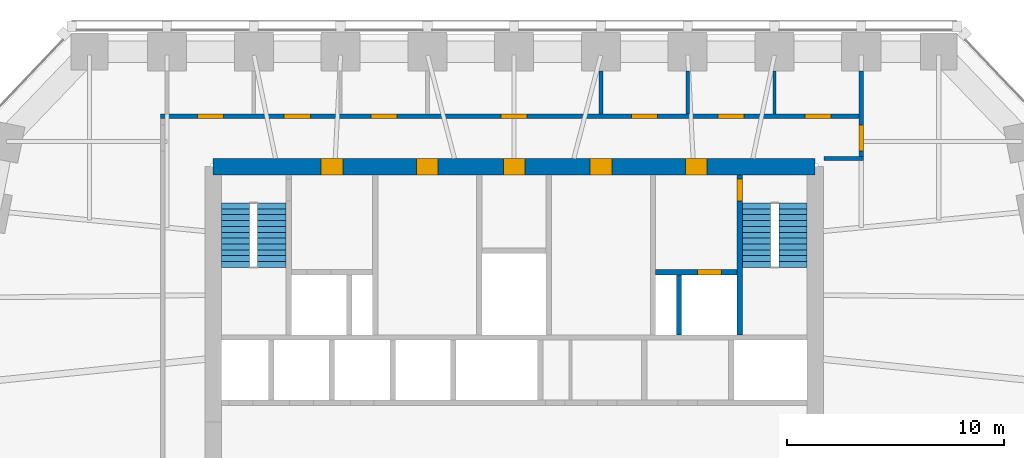
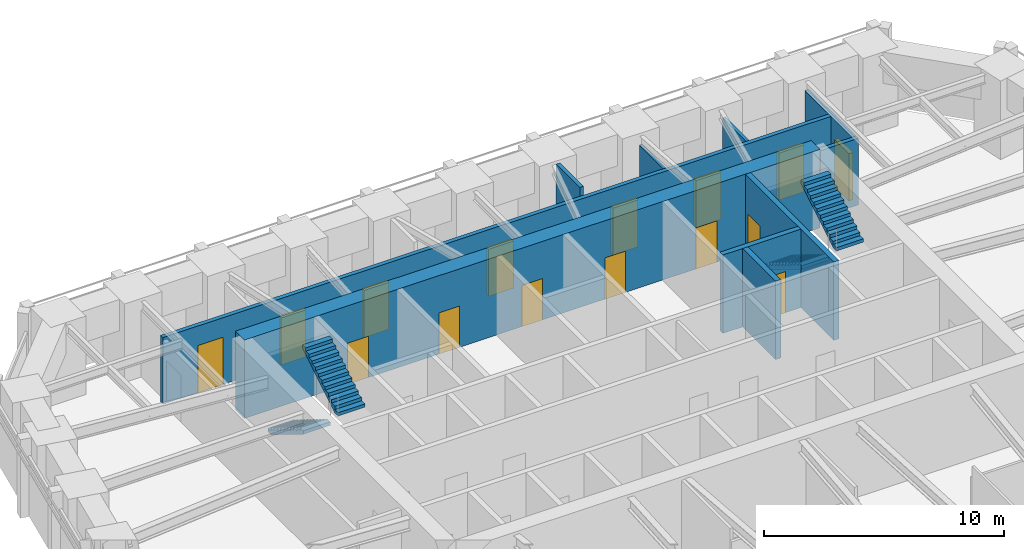
# One storey, part 7 of 9: 15 doors, 10 walls, 4 stair flights, 15 openings, 2 elements without a shape of their own.
"""IFC4 building model written with IfcOpenShell, lengths in metres."""

from ifc_helpers import new_model, si_unit, direction, frame, frame_2d, origin, place, context, subcontext, project, spatial, polyline, rectangle, outline, extrude, material, layer, layer_set, type_object, element, fill, aggregate, save


model = new_model("IFC4")

# Units and contexts
model_context = context("Model", 3, precision=1e-05, world=origin(), true_north=direction((0.0, 1.0)))
body_context = subcontext(model_context, "Body", "Model", "MODEL_VIEW")
ifc_project = project(units=[si_unit("LENGTHUNIT", "METRE"), si_unit("AREAUNIT", "SQUARE_METRE"), si_unit("VOLUMEUNIT", "CUBIC_METRE"), si_unit("PLANEANGLEUNIT", "RADIAN"), si_unit("MASSUNIT", "GRAM", prefix="KILO")], contexts=[model_context])

# Site, building, storey
site_placement = place(None, origin())
site = spatial("IfcSite", under=ifc_project, at=site_placement, CompositionType="ELEMENT")
building_placement = place(site_placement, origin())
building = spatial("IfcBuilding", under=site, at=building_placement, Name="Isbrekke Arena Tower", CompositionType="ELEMENT")
storey_placement = place(building_placement, frame((0.0, 0.0, 131.0)))
storey = spatial("IfcBuildingStorey", under=building, at=storey_placement, Name="L29", CompositionType="ELEMENT", Elevation=131.0)

# Wall, openings, doors
ifc_material_1 = material(Name="Concrete B55 (C55/67)", Category="concrete")
ifc_layer_1 = layer(ifc_material_1, 0.75)
ifc_layer_set_1 = layer_set([ifc_layer_1], Name="CW3 CORE WALL 750")
wall_type_1 = type_object("IfcWallType", Name="CW3 CORE WALL 750", PredefinedType="SHEAR", material=ifc_layer_set_1)
wall_1_placement = place(storey_placement, frame((13.875, 23.875, 0.0), z_axis=(0.0, 0.0, 1.0), x_axis=(-1.0, 0.0, 0.0)))
wall_1 = element("IfcWall", 1, at=wall_1_placement, inside=storey, type_object=wall_type_1, Name="Core wall N L29", PredefinedType="SHEAR", context=body_context, shape_type="SweptSolid", body=[
    extrude(rectangle(XDim=27.75, YDim=0.75, at=frame_2d((13.875, 0.0))), origin(), (0.0, 0.0, 1.0), 4.0),
])
opening_1_placement = place(wall_1_placement, frame((21.77490234375, 0.0, 0.0)))
opening_1 = element("IfcOpeningElement", 2, at=opening_1_placement, cuts=wall_1, Name="Opening D3", PredefinedType="OPENING", context=body_context, shape_type="SweptSolid", body=[
    extrude(rectangle(XDim=1.0, YDim=2.10009765625, at=frame_2d((0.5, 1.050048828125))), frame((0.0, 0.389892578125, 0.0), z_axis=(0.0, -1.0, 0.0), x_axis=(1.0, 0.0, 0.0)), (0.0, 0.0, 1.0), 0.77978515625),
])
opening_2_placement = place(wall_1_placement, frame((4.97509765625, 0.0, 0.0)))
opening_2 = element("IfcOpeningElement", 3, at=opening_2_placement, cuts=wall_1, Name="Opening D3", PredefinedType="OPENING", context=body_context, shape_type="SweptSolid", body=[
    extrude(rectangle(XDim=1.0, YDim=2.10009765625, at=frame_2d((0.5, 1.050048828125))), frame((0.0, 0.389892578125, 0.0), z_axis=(0.0, -1.0, 0.0), x_axis=(1.0, 0.0, 0.0)), (0.0, 0.0, 1.0), 0.77978515625),
])
opening_3_placement = place(wall_1_placement, frame((17.375, 0.0, 0.0)))
opening_3 = element("IfcOpeningElement", 4, at=opening_3_placement, cuts=wall_1, Name="Opening D4", PredefinedType="OPENING", context=body_context, shape_type="SweptSolid", body=[
    extrude(rectangle(XDim=1.0, YDim=2.10009765625, at=frame_2d((0.5, 1.050048828125))), frame((0.0, 0.389892578125, 0.0), z_axis=(0.0, -1.0, 0.0), x_axis=(1.0, 0.0, 0.0)), (0.0, 0.0, 1.0), 0.77978515625),
])
opening_4_placement = place(wall_1_placement, frame((13.375, 0.0, 0.0)))
opening_4 = element("IfcOpeningElement", 5, at=opening_4_placement, cuts=wall_1, Name="Opening D4", PredefinedType="OPENING", context=body_context, shape_type="SweptSolid", body=[
    extrude(rectangle(XDim=1.0, YDim=2.10009765625, at=frame_2d((0.5, 1.050048828125))), frame((0.0, 0.389892578125, 0.0), z_axis=(0.0, -1.0, 0.0), x_axis=(1.0, 0.0, 0.0)), (0.0, 0.0, 1.0), 0.77978515625),
])
opening_5_placement = place(wall_1_placement, frame((9.375, 0.0, 0.0)))
opening_5 = element("IfcOpeningElement", 6, at=opening_5_placement, cuts=wall_1, Name="Opening D4", PredefinedType="OPENING", context=body_context, shape_type="SweptSolid", body=[
    extrude(rectangle(XDim=1.0, YDim=2.10009765625, at=frame_2d((0.5, 1.050048828125))), frame((0.0, 0.389892578125, 0.0), z_axis=(0.0, -1.0, 0.0), x_axis=(1.0, 0.0, 0.0)), (0.0, 0.0, 1.0), 0.77978515625),
])
ifc_material_2 = material(Name="Steel fire door", Category="steel")
door_type_1 = type_object("IfcDoorType", Name="D3 FIRE LOBBY DOOR 1000 x 2100", OperationType="SINGLE_SWING_RIGHT", PredefinedType="DOOR", material=ifc_material_2)
door_1_placement = place(opening_1_placement, origin())
door_1 = element("IfcDoor", 7, at=door_1_placement, inside=storey, type_object=door_type_1, Name="D3 fire-fighting lobby door L29", OperationType="SINGLE_SWING_RIGHT", OverallHeight=2.10009765625, OverallWidth=1.0, PredefinedType="DOOR", context=body_context, shape_type="SweptSolid", body=[
    extrude(rectangle(XDim=1.0, YDim=2.10009765625, at=frame_2d((0.5, 1.050048828125))), frame((0.0, 0.374755859375, 0.0), z_axis=(0.0, -1.0, 0.0), x_axis=(1.0, 0.0, 0.0)), (0.0, 0.0, 1.0), 0.74951171875),
])
fill(opening_1, door_1)
door_2_placement = place(opening_2_placement, origin())
door_2 = element("IfcDoor", 8, at=door_2_placement, inside=storey, type_object=door_type_1, Name="D3 fire-fighting lobby door L29", OperationType="SINGLE_SWING_RIGHT", OverallHeight=2.10009765625, OverallWidth=1.0, PredefinedType="DOOR", context=body_context, shape_type="SweptSolid", body=[
    extrude(rectangle(XDim=1.0, YDim=2.10009765625, at=frame_2d((0.5, 1.050048828125))), frame((0.0, 0.374755859375, 0.0), z_axis=(0.0, -1.0, 0.0), x_axis=(1.0, 0.0, 0.0)), (0.0, 0.0, 1.0), 0.74951171875),
])
fill(opening_2, door_2)
ifc_material_3 = material(Name="Timber door", Category="wood")
door_type_2 = type_object("IfcDoorType", Name="D4 WC DOOR 1000 x 2100", OperationType="SINGLE_SWING_LEFT", PredefinedType="DOOR", material=ifc_material_3)
door_3_placement = place(opening_3_placement, origin())
door_3 = element("IfcDoor", 9, at=door_3_placement, inside=storey, type_object=door_type_2, Name="D4 wc female door L29", OperationType="SINGLE_SWING_LEFT", OverallHeight=2.10009765625, OverallWidth=1.0, PredefinedType="DOOR", context=body_context, shape_type="SweptSolid", body=[
    extrude(rectangle(XDim=1.0, YDim=2.10009765625, at=frame_2d((0.5, 1.050048828125))), frame((0.0, 0.374755859375, 0.0), z_axis=(0.0, -1.0, 0.0), x_axis=(1.0, 0.0, 0.0)), (0.0, 0.0, 1.0), 0.74951171875),
])
fill(opening_3, door_3)
door_4_placement = place(opening_4_placement, origin())
door_4 = element("IfcDoor", 10, at=door_4_placement, inside=storey, type_object=door_type_2, Name="D4 accessible wc door L29", OperationType="SINGLE_SWING_LEFT", OverallHeight=2.10009765625, OverallWidth=1.0, PredefinedType="DOOR", context=body_context, shape_type="SweptSolid", body=[
    extrude(rectangle(XDim=1.0, YDim=2.10009765625, at=frame_2d((0.5, 1.050048828125))), frame((0.0, 0.374755859375, 0.0), z_axis=(0.0, -1.0, 0.0), x_axis=(1.0, 0.0, 0.0)), (0.0, 0.0, 1.0), 0.74951171875),
])
fill(opening_4, door_4)
door_5_placement = place(opening_5_placement, origin())
door_5 = element("IfcDoor", 11, at=door_5_placement, inside=storey, type_object=door_type_2, Name="D4 wc male door L29", OperationType="SINGLE_SWING_LEFT", OverallHeight=2.10009765625, OverallWidth=1.0, PredefinedType="DOOR", context=body_context, shape_type="SweptSolid", body=[
    extrude(rectangle(XDim=1.0, YDim=2.10009765625, at=frame_2d((0.5, 1.050048828125))), frame((0.0, 0.374755859375, 0.0), z_axis=(0.0, -1.0, 0.0), x_axis=(1.0, 0.0, 0.0)), (0.0, 0.0, 1.0), 0.74951171875),
])
fill(opening_5, door_5)

# Wall, opening, door
ifc_material_4 = material(Name="Concrete B45 (C45/55)", Category="concrete")
ifc_layer_2 = layer(ifc_material_4, 0.25)
ifc_layer_set_2 = layer_set([ifc_layer_2], Name="CW6 SHAFT WALL 250")
wall_type_2 = type_object("IfcWallType", Name="CW6 SHAFT WALL 250", PredefinedType="SHEAR", material=ifc_layer_set_2)
wall_2_placement = place(storey_placement, frame((10.39990234375, 16.125, 0.0), z_axis=(0.0, 0.0, 1.0), x_axis=(0.0, 1.0, 0.0)))
wall_2 = element("IfcWall", 12, at=wall_2_placement, inside=storey, type_object=wall_type_2, Name="Core wall NV06 L29", PredefinedType="SHEAR", context=body_context, shape_type="SweptSolid", body=[
    extrude(rectangle(XDim=7.375, YDim=0.25, at=frame_2d((3.6875, 0.0))), origin(), (0.0, 0.0, 1.0), 4.0),
])
opening_6_placement = place(wall_2_placement, frame((6.175048828125, 0.0, 0.0)))
opening_6 = element("IfcOpeningElement", 13, at=opening_6_placement, cuts=wall_2, Name="Opening D2", PredefinedType="OPENING", context=body_context, shape_type="SweptSolid", body=[
    extrude(rectangle(XDim=1.0, YDim=2.10009765625, at=frame_2d((0.5, 1.050048828125))), frame((0.0, 0.139892578125, 0.0), z_axis=(0.0, -1.0, 0.0), x_axis=(1.0, 0.0, 0.0)), (0.0, 0.0, 1.0), 0.27978515625),
])
ifc_material_5 = material(Name="Steel fire door", Category="steel")
door_type_3 = type_object("IfcDoorType", Name="D2 STAIR DOOR 1000 x 2100", OperationType="SINGLE_SWING_LEFT", PredefinedType="DOOR", material=ifc_material_5)
door_6_placement = place(opening_6_placement, origin())
door_6 = element("IfcDoor", 14, at=door_6_placement, inside=storey, type_object=door_type_3, Name="D2 stair door ST2 L29", OperationType="SINGLE_SWING_LEFT", OverallHeight=2.10009765625, OverallWidth=1.0, PredefinedType="DOOR", context=body_context, shape_type="SweptSolid", body=[
    extrude(rectangle(XDim=1.0, YDim=2.10009765625, at=frame_2d((0.5, 1.050048828125))), frame((0.0, 0.124755859375, 0.0), z_axis=(0.0, -1.0, 0.0), x_axis=(1.0, 0.0, 0.0)), (0.0, 0.0, 1.0), 0.24951171875),
])
fill(opening_6, door_6)

wall_3_placement = place(storey_placement, frame((6.52490234375, 19.0, 0.0), z_axis=(0.0, 0.0, 1.0), x_axis=(1.0, 0.0, 0.0)))
wall_3 = element("IfcWall", 15, at=wall_3_placement, inside=storey, type_object=wall_type_2, Name="Core wall NFE L29", PredefinedType="SHEAR", context=body_context, shape_type="SweptSolid", body=[
    extrude(rectangle(XDim=3.75, YDim=0.25, at=frame_2d((1.875, 0.0))), origin(), (0.0, 0.0, 1.0), 4.0),
])
opening_7_placement = place(wall_3_placement, frame((1.925048828125, 0.0, 0.0)))
opening_7 = element("IfcOpeningElement", 16, at=opening_7_placement, cuts=wall_3, Name="Opening LD2", PredefinedType="OPENING", context=body_context, shape_type="SweptSolid", body=[
    extrude(rectangle(XDim=1.10009765625, YDim=2.10009765625, at=frame_2d((0.550048828125, 1.050048828125))), frame((0.0, 0.139892578125, 0.0), z_axis=(0.0, -1.0, 0.0), x_axis=(1.0, 0.0, 0.0)), (0.0, 0.0, 1.0), 0.27978515625),
])
ifc_material_6 = material(Name="Stainless steel lift landing door", Category="steel")
door_type_4 = type_object("IfcDoorType", Name="LD2 FIRE-FIGHTING LIFT LANDING DOOR 1100 x 2100", OperationType="SLIDING_TO_RIGHT", PredefinedType="DOOR", material=ifc_material_6)
door_7_placement = place(opening_7_placement, origin())
door_7 = element("IfcDoor", 17, at=door_7_placement, inside=storey, type_object=door_type_4, Name="LD2 lift landing door LF L29", OperationType="SLIDING_TO_RIGHT", OverallHeight=2.10009765625, OverallWidth=1.10009765625, PredefinedType="DOOR", context=body_context, shape_type="SweptSolid", body=[
    extrude(rectangle(XDim=1.10009765625, YDim=2.10009765625, at=frame_2d((0.550048828125, 1.050048828125))), frame((0.0, 0.124755859375, 0.0), z_axis=(0.0, -1.0, 0.0), x_axis=(1.0, 0.0, 0.0)), (0.0, 0.0, 1.0), 0.24951171875),
])
fill(opening_7, door_7)

# Walls
wall_4_placement = place(storey_placement, frame((7.60009765625, 16.125, 0.0), z_axis=(0.0, 0.0, 1.0), x_axis=(0.0, 1.0, 0.0)))
element("IfcWall", 18, at=wall_4_placement, inside=storey, type_object=wall_type_2, Name="Core wall NFS2 L29", PredefinedType="SHEAR", context=body_context, shape_type="SweptSolid", body=[
    extrude(rectangle(XDim=2.75, YDim=0.25, at=frame_2d((1.375, 0.0))), origin(), (0.0, 0.0, 1.0), 4.0),
])
ifc_material_7 = material(Name="Gypsum board partition on steel studs", Category="steel")
ifc_layer_3 = layer(ifc_material_7, 0.14990234375)
ifc_layer_set_3 = layer_set([ifc_layer_3], Name="IW1 PARTITION 150")
wall_type_3 = type_object("IfcWallType", Name="IW1 PARTITION 150", PredefinedType="PARTITIONING", material=ifc_layer_set_3)
for number, where, z_axis, x_axis, name in (
    (19, (8.0, 26.300048828125, 0.0), (0.0, 0.0, 1.0), (0.0, 1.0, 0.0), "IW1 partition 150 L29"),
    (20, (12.0, 26.300048828125, 0.0), (0.0, 0.0, 1.0), (0.0, 1.0, 0.0), "IW1 partition 150 L29"),
):
    element("IfcWall", number, at=place(storey_placement, frame(where, z_axis=z_axis, x_axis=x_axis)), inside=storey, type_object=wall_type_3, Name=name, PredefinedType="PARTITIONING", context=body_context, shape_type="SweptSolid", body=[
        extrude(rectangle(XDim=1.974853515625, YDim=0.14990234375, at=frame_2d((0.9873046875, 0.0))), origin(), (0.0, 0.0, 1.0), 3.39990234375),
    ])
ifc_material_8 = material(Name="Gypsum board fire-cell wall on steel studs, two layers each side", Category="steel")
ifc_layer_4 = layer(ifc_material_8, 0.199951171875)
ifc_layer_set_4 = layer_set([ifc_layer_4], Name="IW3 FIRE-CELL WALL 200")
wall_type_4 = type_object("IfcWallType", Name="IW3 FIRE-CELL WALL 200", PredefinedType="PARTITIONING", material=ifc_layer_set_4)
wall_5_placement = place(storey_placement, frame((14.280029296875, 24.25, 0.0), z_axis=(0.0, 0.0, 1.0), x_axis=(1.0, 0.0, 0.0)))
element("IfcWall", 21, at=wall_5_placement, inside=storey, type_object=wall_type_4, Name="IW3 fire-cell wall 200 L29", PredefinedType="PARTITIONING", context=body_context, shape_type="SweptSolid", body=[
    extrude(rectangle(XDim=1.820068359375, YDim=0.199951171875, at=frame_2d((0.91015625, 0.0))), origin(), (0.0, 0.0, 1.0), 3.39990234375),
])

# Wall, openings, doors
wall_6_placement = place(storey_placement, frame((-16.300048828125, 26.199951171875, 0.0), z_axis=(0.0, 0.0, 1.0), x_axis=(1.0, 0.0, 0.0)))
wall_6 = element("IfcWall", 22, at=wall_6_placement, inside=storey, type_object=wall_type_4, Name="IW3 fire-cell wall 200 L29", PredefinedType="PARTITIONING", context=body_context, shape_type="SweptSolid", body=[
    extrude(rectangle(XDim=32.199951171875, YDim=0.199951171875, at=frame_2d((16.10009765625, 0.0))), origin(), (0.0, 0.0, 1.0), 3.39990234375),
])
opening_8_placement = place(wall_6_placement, frame((1.699951171875, 0.0, 0.0)))
opening_8 = element("IfcOpeningElement", 23, at=opening_8_placement, cuts=wall_6, Name="Opening D12", PredefinedType="OPENING", context=body_context, shape_type="SweptSolid", body=[
    extrude(rectangle(XDim=1.199951171875, YDim=2.39990234375, at=frame_2d((0.60009765625, 1.199951171875))), frame((0.0, 0.11474609375, 0.0), z_axis=(0.0, -1.0, 0.0), x_axis=(1.0, 0.0, 0.0)), (0.0, 0.0, 1.0), 0.229736328125),
])
opening_9_placement = place(wall_6_placement, frame((5.699951171875, 0.0, 0.0)))
opening_9 = element("IfcOpeningElement", 24, at=opening_9_placement, cuts=wall_6, Name="Opening D12", PredefinedType="OPENING", context=body_context, shape_type="SweptSolid", body=[
    extrude(rectangle(XDim=1.199951171875, YDim=2.39990234375, at=frame_2d((0.60009765625, 1.199951171875))), frame((0.0, 0.11474609375, 0.0), z_axis=(0.0, -1.0, 0.0), x_axis=(1.0, 0.0, 0.0)), (0.0, 0.0, 1.0), 0.229736328125),
])
opening_10_placement = place(wall_6_placement, frame((9.699951171875, 0.0, 0.0)))
opening_10 = element("IfcOpeningElement", 25, at=opening_10_placement, cuts=wall_6, Name="Opening D12", PredefinedType="OPENING", context=body_context, shape_type="SweptSolid", body=[
    extrude(rectangle(XDim=1.199951171875, YDim=2.39990234375, at=frame_2d((0.60009765625, 1.199951171875))), frame((0.0, 0.11474609375, 0.0), z_axis=(0.0, -1.0, 0.0), x_axis=(1.0, 0.0, 0.0)), (0.0, 0.0, 1.0), 0.229736328125),
])
opening_11_placement = place(wall_6_placement, frame((15.699951171875, 0.0, 0.0)))
opening_11 = element("IfcOpeningElement", 26, at=opening_11_placement, cuts=wall_6, Name="Opening D12", PredefinedType="OPENING", context=body_context, shape_type="SweptSolid", body=[
    extrude(rectangle(XDim=1.199951171875, YDim=2.39990234375, at=frame_2d((0.60009765625, 1.199951171875))), frame((0.0, 0.11474609375, 0.0), z_axis=(0.0, -1.0, 0.0), x_axis=(1.0, 0.0, 0.0)), (0.0, 0.0, 1.0), 0.229736328125),
])
opening_12_placement = place(wall_6_placement, frame((21.699951171875, 0.0, 0.0)))
opening_12 = element("IfcOpeningElement", 27, at=opening_12_placement, cuts=wall_6, Name="Opening D12", PredefinedType="OPENING", context=body_context, shape_type="SweptSolid", body=[
    extrude(rectangle(XDim=1.199951171875, YDim=2.39990234375, at=frame_2d((0.60009765625, 1.199951171875))), frame((0.0, 0.11474609375, 0.0), z_axis=(0.0, -1.0, 0.0), x_axis=(1.0, 0.0, 0.0)), (0.0, 0.0, 1.0), 0.229736328125),
])
opening_13_placement = place(wall_6_placement, frame((25.699951171875, 0.0, 0.0)))
opening_13 = element("IfcOpeningElement", 28, at=opening_13_placement, cuts=wall_6, Name="Opening D12", PredefinedType="OPENING", context=body_context, shape_type="SweptSolid", body=[
    extrude(rectangle(XDim=1.199951171875, YDim=2.39990234375, at=frame_2d((0.60009765625, 1.199951171875))), frame((0.0, 0.11474609375, 0.0), z_axis=(0.0, -1.0, 0.0), x_axis=(1.0, 0.0, 0.0)), (0.0, 0.0, 1.0), 0.229736328125),
])
opening_14_placement = place(wall_6_placement, frame((29.699951171875, 0.0, 0.0)))
opening_14 = element("IfcOpeningElement", 29, at=opening_14_placement, cuts=wall_6, Name="Opening D12", PredefinedType="OPENING", context=body_context, shape_type="SweptSolid", body=[
    extrude(rectangle(XDim=1.199951171875, YDim=2.39990234375, at=frame_2d((0.60009765625, 1.199951171875))), frame((0.0, 0.11474609375, 0.0), z_axis=(0.0, -1.0, 0.0), x_axis=(1.0, 0.0, 0.0)), (0.0, 0.0, 1.0), 0.229736328125),
])
ifc_material_9 = material(Name="Timber fire door with vision panel", Category="wood")
door_type_5 = type_object("IfcDoorType", Name="D12 SUITE ENTRANCE DOOR 1200 x 2400", OperationType="SINGLE_SWING_LEFT", PredefinedType="DOOR", material=ifc_material_9)
door_8_placement = place(opening_8_placement, origin())
door_8 = element("IfcDoor", 30, at=door_8_placement, inside=storey, type_object=door_type_5, Name="D12 office door L29", OperationType="SINGLE_SWING_LEFT", OverallHeight=2.39990234375, OverallWidth=1.199951171875, PredefinedType="DOOR", context=body_context, shape_type="SweptSolid", body=[
    extrude(rectangle(XDim=1.199951171875, YDim=2.39990234375, at=frame_2d((0.60009765625, 1.199951171875))), frame((0.0, 0.099609375, 0.0), z_axis=(0.0, -1.0, 0.0), x_axis=(1.0, 0.0, 0.0)), (0.0, 0.0, 1.0), 0.199462890625),
])
fill(opening_8, door_8)
door_9_placement = place(opening_9_placement, origin())
door_9 = element("IfcDoor", 31, at=door_9_placement, inside=storey, type_object=door_type_5, Name="D12 office door L29", OperationType="SINGLE_SWING_LEFT", OverallHeight=2.39990234375, OverallWidth=1.199951171875, PredefinedType="DOOR", context=body_context, shape_type="SweptSolid", body=[
    extrude(rectangle(XDim=1.199951171875, YDim=2.39990234375, at=frame_2d((0.60009765625, 1.199951171875))), frame((0.0, 0.099609375, 0.0), z_axis=(0.0, -1.0, 0.0), x_axis=(1.0, 0.0, 0.0)), (0.0, 0.0, 1.0), 0.199462890625),
])
fill(opening_9, door_9)
door_10_placement = place(opening_10_placement, origin())
door_10 = element("IfcDoor", 32, at=door_10_placement, inside=storey, type_object=door_type_5, Name="D12 focus room door L29", OperationType="SINGLE_SWING_LEFT", OverallHeight=2.39990234375, OverallWidth=1.199951171875, PredefinedType="DOOR", context=body_context, shape_type="SweptSolid", body=[
    extrude(rectangle(XDim=1.199951171875, YDim=2.39990234375, at=frame_2d((0.60009765625, 1.199951171875))), frame((0.0, 0.099609375, 0.0), z_axis=(0.0, -1.0, 0.0), x_axis=(1.0, 0.0, 0.0)), (0.0, 0.0, 1.0), 0.199462890625),
])
fill(opening_10, door_10)
door_11_placement = place(opening_11_placement, origin())
door_11 = element("IfcDoor", 33, at=door_11_placement, inside=storey, type_object=door_type_5, Name="D12 meeting room door L29", OperationType="SINGLE_SWING_LEFT", OverallHeight=2.39990234375, OverallWidth=1.199951171875, PredefinedType="DOOR", context=body_context, shape_type="SweptSolid", body=[
    extrude(rectangle(XDim=1.199951171875, YDim=2.39990234375, at=frame_2d((0.60009765625, 1.199951171875))), frame((0.0, 0.099609375, 0.0), z_axis=(0.0, -1.0, 0.0), x_axis=(1.0, 0.0, 0.0)), (0.0, 0.0, 1.0), 0.199462890625),
])
fill(opening_11, door_11)
door_12_placement = place(opening_12_placement, origin())
door_12 = element("IfcDoor", 34, at=door_12_placement, inside=storey, type_object=door_type_5, Name="D12 focus room door L29", OperationType="SINGLE_SWING_LEFT", OverallHeight=2.39990234375, OverallWidth=1.199951171875, PredefinedType="DOOR", context=body_context, shape_type="SweptSolid", body=[
    extrude(rectangle(XDim=1.199951171875, YDim=2.39990234375, at=frame_2d((0.60009765625, 1.199951171875))), frame((0.0, 0.099609375, 0.0), z_axis=(0.0, -1.0, 0.0), x_axis=(1.0, 0.0, 0.0)), (0.0, 0.0, 1.0), 0.199462890625),
])
fill(opening_12, door_12)
door_13_placement = place(opening_13_placement, origin())
door_13 = element("IfcDoor", 35, at=door_13_placement, inside=storey, type_object=door_type_5, Name="D12 office door L29", OperationType="SINGLE_SWING_LEFT", OverallHeight=2.39990234375, OverallWidth=1.199951171875, PredefinedType="DOOR", context=body_context, shape_type="SweptSolid", body=[
    extrude(rectangle(XDim=1.199951171875, YDim=2.39990234375, at=frame_2d((0.60009765625, 1.199951171875))), frame((0.0, 0.099609375, 0.0), z_axis=(0.0, -1.0, 0.0), x_axis=(1.0, 0.0, 0.0)), (0.0, 0.0, 1.0), 0.199462890625),
])
fill(opening_13, door_13)
door_14_placement = place(opening_14_placement, origin())
door_14 = element("IfcDoor", 36, at=door_14_placement, inside=storey, type_object=door_type_5, Name="D12 office door L29", OperationType="SINGLE_SWING_LEFT", OverallHeight=2.39990234375, OverallWidth=1.199951171875, PredefinedType="DOOR", context=body_context, shape_type="SweptSolid", body=[
    extrude(rectangle(XDim=1.199951171875, YDim=2.39990234375, at=frame_2d((0.60009765625, 1.199951171875))), frame((0.0, 0.099609375, 0.0), z_axis=(0.0, -1.0, 0.0), x_axis=(1.0, 0.0, 0.0)), (0.0, 0.0, 1.0), 0.199462890625),
])
fill(opening_14, door_14)

# Wall, opening, door
wall_7_placement = place(storey_placement, frame((16.0, 24.35009765625, 0.0), z_axis=(0.0, 0.0, 1.0), x_axis=(0.0, 1.0, 0.0)))
wall_7 = element("IfcWall", 37, at=wall_7_placement, inside=storey, type_object=wall_type_4, Name="IW3 fire-cell wall 200 L29", PredefinedType="PARTITIONING", context=body_context, shape_type="SweptSolid", body=[
    extrude(rectangle(XDim=3.9248046875, YDim=0.199951171875, at=frame_2d((1.96240234375, 0.0))), origin(), (0.0, 0.0, 1.0), 3.39990234375),
])
opening_15_placement = place(wall_7_placement, frame((0.25, 0.0, 0.0)))
opening_15 = element("IfcOpeningElement", 38, at=opening_15_placement, cuts=wall_7, Name="Opening D12", PredefinedType="OPENING", context=body_context, shape_type="SweptSolid", body=[
    extrude(rectangle(XDim=1.199951171875, YDim=2.39990234375, at=frame_2d((0.60009765625, 1.199951171875))), frame((0.0, 0.11474609375, 0.0), z_axis=(0.0, -1.0, 0.0), x_axis=(1.0, 0.0, 0.0)), (0.0, 0.0, 1.0), 0.229736328125),
])
door_15_placement = place(opening_15_placement, origin())
door_15 = element("IfcDoor", 39, at=door_15_placement, inside=storey, type_object=door_type_5, Name="D12 suite entrance A door L29", OperationType="SINGLE_SWING_LEFT", OverallHeight=2.39990234375, OverallWidth=1.199951171875, PredefinedType="DOOR", context=body_context, shape_type="SweptSolid", body=[
    extrude(rectangle(XDim=1.199951171875, YDim=2.39990234375, at=frame_2d((0.60009765625, 1.199951171875))), frame((0.0, 0.099609375, 0.0), z_axis=(0.0, -1.0, 0.0), x_axis=(1.0, 0.0, 0.0)), (0.0, 0.0, 1.0), 0.199462890625),
])
fill(opening_15, door_15)

# Wall
ifc_material_10 = material(Name="Gypsum board acoustic partition on twin steel studs", Category="steel")
ifc_layer_5 = layer(ifc_material_10, 0.175048828125)
ifc_layer_set_5 = layer_set([ifc_layer_5], Name="IW4 ACOUSTIC PARTITION 175")
wall_type_5 = type_object("IfcWallType", Name="IW4 ACOUSTIC PARTITION 175", PredefinedType="PARTITIONING", material=ifc_layer_set_5)
wall_8_placement = place(storey_placement, frame((4.0, 26.300048828125, 0.0), z_axis=(0.0, 0.0, 1.0), x_axis=(0.0, 1.0, 0.0)))
element("IfcWall", 40, at=wall_8_placement, inside=storey, type_object=wall_type_5, Name="IW4 acoustic partition 175 L29", PredefinedType="PARTITIONING", context=body_context, shape_type="SweptSolid", body=[
    extrude(rectangle(XDim=1.974853515625, YDim=0.175048828125, at=frame_2d((0.9873046875, 0.0))), origin(), (0.0, 0.0, 1.0), 3.85009765625),
])

# Stair, stair flights
ifc_material_11 = material(Name="Concrete B45 (C45/55) precast", Category="concrete")
stair_type = type_object("IfcStairType", Name="ST40 STAIR 1300 WIDE, 24 RISERS 167", PredefinedType="HALF_TURN_STAIR", material=ifc_material_11)
stair_1_placement = place(storey_placement, origin())
stair_1 = element("IfcStair", 41, at=stair_1_placement, inside=storey, type_object=stair_type, Name="ST1 stair L29", PredefinedType="HALF_TURN_STAIR")
ifc_material_12 = material(Name="Concrete B45 (C45/55) precast", Category="concrete")
stair_flight_type = type_object("IfcStairFlightType", Name="SF 1300 FLIGHT", PredefinedType="STRAIGHT", material=ifc_material_12)
stair_flight_1_placement = place(storey_placement, frame((-12.85009765625, 22.199951171875, 0.0), z_axis=(0.0, 0.0, 1.0), x_axis=(0.0, -1.0, 0.0)))
stair_flight_1 = element("IfcStairFlight", 42, at=stair_flight_1_placement, type_object=stair_flight_type, Name="ST1 flight 1", NumberOfRisers=12, NumberOfTreads=11, PredefinedType="STRAIGHT", RiserHeight=0.166666667, TreadLength=0.27, context=body_context, shape_type="SweptSolid", body=[
    extrude(outline(polyline([(0.0, 0.0), (0.0, 0.166748046875), (0.27001953125, 0.166748046875), (0.27001953125, 0.333251953125), (0.5400390625, 0.333251953125), (0.5400390625, 0.5), (0.81005859375, 0.5), (0.81005859375, 0.666748046875), (1.080078125, 0.666748046875), (1.080078125, 0.833251953125), (1.35009765625, 0.833251953125), (1.35009765625, 1.0), (1.6201171875, 1.0), (1.6201171875, 1.166748046875), (1.889892578125, 1.166748046875), (1.889892578125, 1.333251953125), (2.159912109375, 1.333251953125), (2.159912109375, 1.5), (2.429931640625, 1.5), (2.429931640625, 1.666748046875), (2.699951171875, 1.666748046875), (2.699951171875, 1.833251953125), (2.969970703125, 1.833251953125), (2.969970703125, 2.0), (2.969970703125, 1.6572265625), (0.285400390625, 0.0), (0.0, 0.0)])), frame((0.0, 0.64990234375, 0.0), z_axis=(0.0, -1.0, 0.0), x_axis=(1.0, 0.0, 0.0)), (0.0, 0.0, 1.0), 1.300048828125),
])
stair_flight_2_placement = place(storey_placement, frame((-11.175048828125, 19.22998046875, 2.0), z_axis=(0.0, 0.0, 1.0), x_axis=(0.0, 1.0, 0.0)))
stair_flight_2 = element("IfcStairFlight", 43, at=stair_flight_2_placement, type_object=stair_flight_type, Name="ST1 flight 2", NumberOfRisers=12, NumberOfTreads=11, PredefinedType="STRAIGHT", RiserHeight=0.166666667, TreadLength=0.27, context=body_context, shape_type="SweptSolid", body=[
    extrude(outline(polyline([(0.0, 0.0), (0.0, 0.166748046875), (0.27001953125, 0.166748046875), (0.27001953125, 0.333251953125), (0.5400390625, 0.333251953125), (0.5400390625, 0.5), (0.81005859375, 0.5), (0.81005859375, 0.666748046875), (1.080078125, 0.666748046875), (1.080078125, 0.833251953125), (1.35009765625, 0.833251953125), (1.35009765625, 1.0), (1.6201171875, 1.0), (1.6201171875, 1.166748046875), (1.889892578125, 1.166748046875), (1.889892578125, 1.333251953125), (2.159912109375, 1.333251953125), (2.159912109375, 1.5), (2.429931640625, 1.5), (2.429931640625, 1.666748046875), (2.699951171875, 1.666748046875), (2.699951171875, 1.833251953125), (2.969970703125, 1.833251953125), (2.969970703125, 2.0), (2.969970703125, 1.6572265625), (0.285400390625, 0.0), (0.0, 0.0)])), frame((0.0, 0.64990234375, 0.0), z_axis=(0.0, -1.0, 0.0), x_axis=(1.0, 0.0, 0.0)), (0.0, 0.0, 1.0), 1.300048828125),
])
aggregate(stair_1, [stair_flight_1, stair_flight_2])

stair_2_placement = place(storey_placement, origin())
stair_2 = element("IfcStair", 44, at=stair_2_placement, inside=storey, type_object=stair_type, Name="ST2 stair L29", PredefinedType="HALF_TURN_STAIR")
stair_flight_3_placement = place(storey_placement, frame((11.175048828125, 22.199951171875, 0.0), z_axis=(0.0, 0.0, 1.0), x_axis=(0.0, -1.0, 0.0)))
stair_flight_3 = element("IfcStairFlight", 45, at=stair_flight_3_placement, type_object=stair_flight_type, Name="ST2 flight 1", NumberOfRisers=12, NumberOfTreads=11, PredefinedType="STRAIGHT", RiserHeight=0.166666667, TreadLength=0.27, context=body_context, shape_type="SweptSolid", body=[
    extrude(outline(polyline([(0.0, 0.0), (0.0, 0.166748046875), (0.27001953125, 0.166748046875), (0.27001953125, 0.333251953125), (0.5400390625, 0.333251953125), (0.5400390625, 0.5), (0.81005859375, 0.5), (0.81005859375, 0.666748046875), (1.080078125, 0.666748046875), (1.080078125, 0.833251953125), (1.35009765625, 0.833251953125), (1.35009765625, 1.0), (1.6201171875, 1.0), (1.6201171875, 1.166748046875), (1.889892578125, 1.166748046875), (1.889892578125, 1.333251953125), (2.159912109375, 1.333251953125), (2.159912109375, 1.5), (2.429931640625, 1.5), (2.429931640625, 1.666748046875), (2.699951171875, 1.666748046875), (2.699951171875, 1.833251953125), (2.969970703125, 1.833251953125), (2.969970703125, 2.0), (2.969970703125, 1.6572265625), (0.285400390625, 0.0), (0.0, 0.0)])), frame((0.0, 0.64990234375, 0.0), z_axis=(0.0, -1.0, 0.0), x_axis=(1.0, 0.0, 0.0)), (0.0, 0.0, 1.0), 1.300048828125),
])
stair_flight_4_placement = place(storey_placement, frame((12.85009765625, 19.22998046875, 2.0), z_axis=(0.0, 0.0, 1.0), x_axis=(0.0, 1.0, 0.0)))
stair_flight_4 = element("IfcStairFlight", 46, at=stair_flight_4_placement, type_object=stair_flight_type, Name="ST2 flight 2", NumberOfRisers=12, NumberOfTreads=11, PredefinedType="STRAIGHT", RiserHeight=0.166666667, TreadLength=0.27, context=body_context, shape_type="SweptSolid", body=[
    extrude(outline(polyline([(0.0, 0.0), (0.0, 0.166748046875), (0.27001953125, 0.166748046875), (0.27001953125, 0.333251953125), (0.5400390625, 0.333251953125), (0.5400390625, 0.5), (0.81005859375, 0.5), (0.81005859375, 0.666748046875), (1.080078125, 0.666748046875), (1.080078125, 0.833251953125), (1.35009765625, 0.833251953125), (1.35009765625, 1.0), (1.6201171875, 1.0), (1.6201171875, 1.166748046875), (1.889892578125, 1.166748046875), (1.889892578125, 1.333251953125), (2.159912109375, 1.333251953125), (2.159912109375, 1.5), (2.429931640625, 1.5), (2.429931640625, 1.666748046875), (2.699951171875, 1.666748046875), (2.699951171875, 1.833251953125), (2.969970703125, 1.833251953125), (2.969970703125, 2.0), (2.969970703125, 1.6572265625), (0.285400390625, 0.0), (0.0, 0.0)])), frame((0.0, 0.64990234375, 0.0), z_axis=(0.0, -1.0, 0.0), x_axis=(1.0, 0.0, 0.0)), (0.0, 0.0, 1.0), 1.300048828125),
])
aggregate(stair_2, [stair_flight_3, stair_flight_4])

save(model, "model.ifc")
